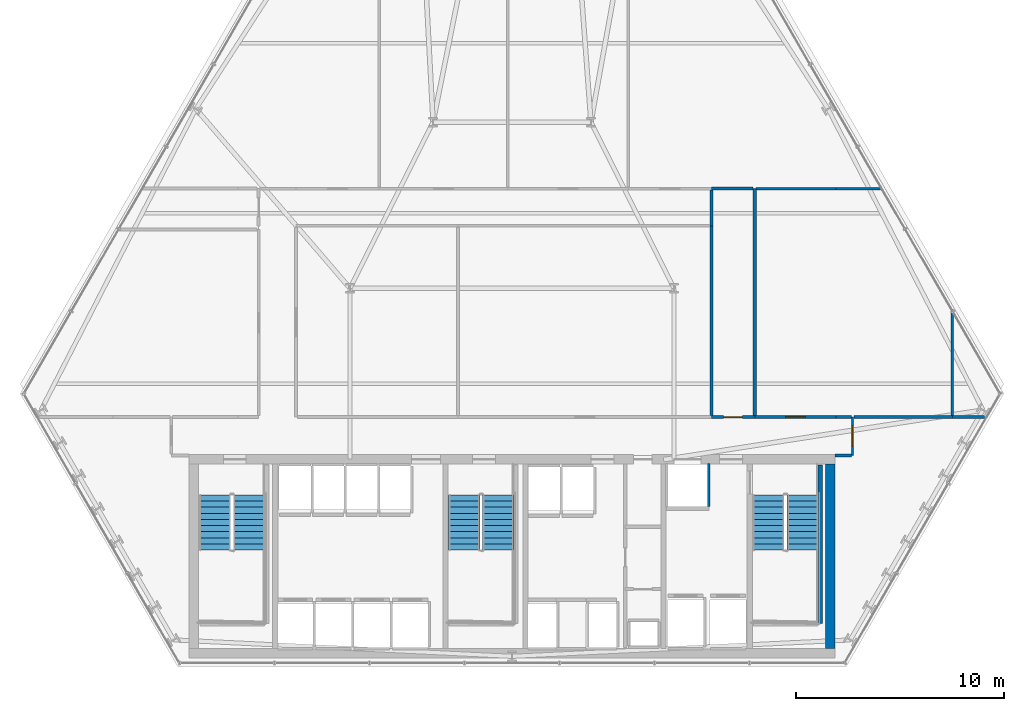
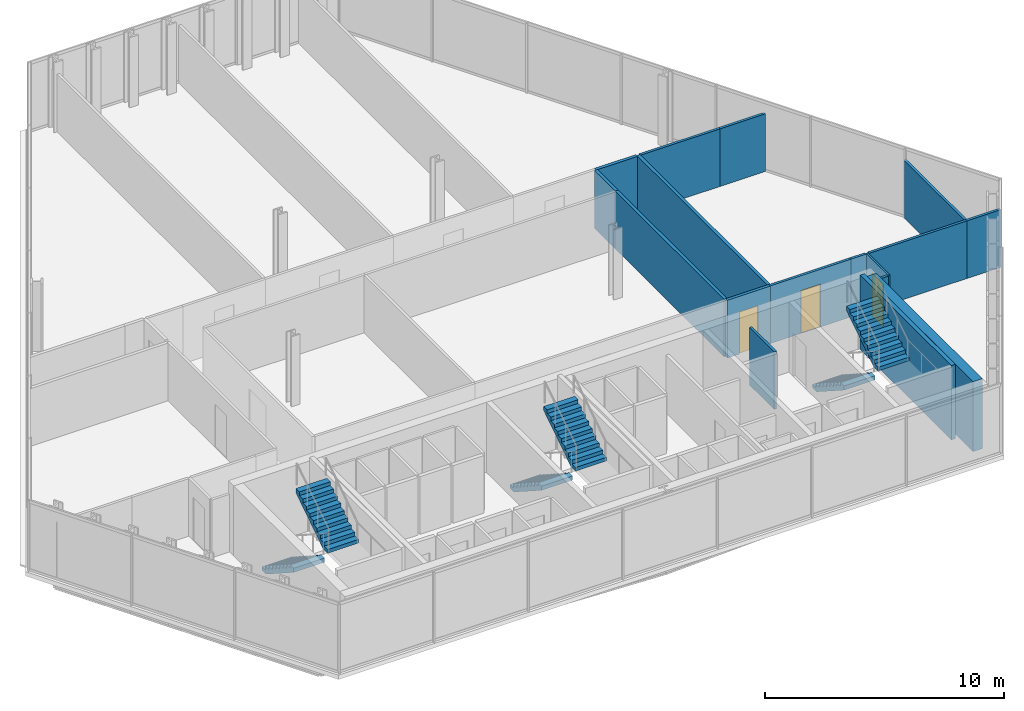
# One storey, part 29 of 32: 17 walls, 6 stair flights, 3 doors, 3 openings, 3 elements without a shape of their own.
"""IFC4 building model written with IfcOpenShell, lengths in metres."""

from ifc_helpers import new_model, si_unit, direction, frame, frame_2d, origin, place, context, subcontext, project, spatial, polyline, rectangle, outline, extrude, material, layer, layer_set, type_object, element, fill, aggregate, save


model = new_model("IFC4")

# Units and contexts
model_context = context("Model", 3, precision=1e-05, world=origin(), true_north=direction((0.0, 1.0)))
body_context = subcontext(model_context, "Body", "Model", "MODEL_VIEW")
ifc_project = project(units=[si_unit("LENGTHUNIT", "METRE"), si_unit("AREAUNIT", "SQUARE_METRE"), si_unit("VOLUMEUNIT", "CUBIC_METRE"), si_unit("PLANEANGLEUNIT", "RADIAN"), si_unit("MASSUNIT", "GRAM", prefix="KILO")], contexts=[model_context])

# Site, building, storey
site_placement = place(None, origin())
site = spatial("IfcSite", under=ifc_project, at=site_placement, CompositionType="ELEMENT")
building_placement = place(site_placement, origin())
building = spatial("IfcBuilding", under=site, at=building_placement, Name="Ndaravel Arena Tower", CompositionType="ELEMENT")
storey_placement = place(building_placement, frame((0.0, 0.0, 70.199951171875)))
storey = spatial("IfcBuildingStorey", under=building, at=storey_placement, Name="L15", CompositionType="ELEMENT", Elevation=70.199951171875)

# Wall
ifc_material_1 = material(Name="Concrete C60/75", Category="concrete")
ifc_layer_1 = layer(ifc_material_1, 0.449951171875)
ifc_layer_set_1 = layer_set([ifc_layer_1], Name="Concrete C60/75")
wall_type_1 = type_object("IfcWallType", Name="WALL-CORE-450", PredefinedType="SOLIDWALL", material=ifc_layer_set_1)
wall_1_placement = place(storey_placement, frame((57.324951171875, 5.85009765625, 0.0), z_axis=(0.0, 0.0, 1.0), x_axis=(0.0, 1.0, 0.0)))
element("IfcWall", 1, at=wall_1_placement, inside=storey, type_object=wall_type_1, Name="L15 Core East Shear Wall", PredefinedType="SOLIDWALL", context=body_context, shape_type="SweptSolid", body=[
    extrude(rectangle(XDim=8.89990234375, YDim=0.449951171875, at=frame_2d((4.449951171875, 0.0))), origin(), (0.0, 0.0, 1.0), 3.580078125),
])

# Wall, opening, door
ifc_material_2 = material(Name="Timber", Category="wood")
ifc_layer_2 = layer(ifc_material_2, 0.10009765625)
ifc_layer_set_2 = layer_set([ifc_layer_2], Name="Timber")
wall_type_2 = type_object("IfcWallType", Name="WALL-MOVABLE-100", PredefinedType="MOVABLE", material=ifc_layer_set_2)
wall_2_placement = place(storey_placement, frame((58.39990234375, 17.0, 0.0), z_axis=(0.0, 0.0, 1.0), x_axis=(0.0, -1.0, 0.0)))
wall_2 = element("IfcWall", 2, at=wall_2_placement, inside=storey, type_object=wall_type_2, Name="L15 Interior Partition 001", PredefinedType="MOVABLE", context=body_context, shape_type="SweptSolid", body=[
    extrude(rectangle(XDim=1.85009765625, YDim=0.10009765625, at=frame_2d((0.925048828125, 0.0))), origin(), (0.0, 0.0, 1.0), 2.949951171875),
])
opening_1_placement = place(wall_2_placement, frame((0.449951171875, 0.0, 0.0)))
opening_1 = element("IfcOpeningElement", 3, at=opening_1_placement, cuts=wall_2, Name="Opening ID-01", PredefinedType="OPENING", context=body_context, shape_type="SweptSolid", body=[
    extrude(rectangle(XDim=0.949951171875, YDim=2.199951171875, at=frame_2d((0.47509765625, 1.10009765625))), frame((0.0, 0.050048828125, 0.0), z_axis=(0.0, -1.0, 0.0), x_axis=(1.0, 0.0, 0.0)), (0.0, 0.0, 1.0), 0.10009765625),
])
ifc_material_3 = material(Name="Timber", Category="wood")
door_type_1 = type_object("IfcDoorType", Name="DT-03-OFFICE-950", OperationType="SINGLE_SWING_LEFT", PredefinedType="DOOR", material=ifc_material_3)
door_1_placement = place(opening_1_placement, origin())
door_1 = element("IfcDoor", 4, at=door_1_placement, inside=storey, type_object=door_type_1, Name="L15 Quiet Reading Library Door", OperationType="SINGLE_SWING_LEFT", OverallHeight=2.199951171875, OverallWidth=0.949951171875, PredefinedType="DOOR", context=body_context, shape_type="SweptSolid", body=[
    extrude(rectangle(XDim=0.949951171875, YDim=2.199951171875, at=frame_2d((0.47509765625, 1.10009765625))), frame((0.0, 0.02490234375, 0.0), z_axis=(0.0, -1.0, 0.0), x_axis=(1.0, 0.0, 0.0)), (0.0, 0.0, 1.0), 0.050048828125),
])
fill(opening_1, door_1)

# Wall
ifc_material_4 = material(Name="Gypsum", Category="gypsum")
ifc_layer_3 = layer(ifc_material_4, 0.125)
ifc_layer_set_3 = layer_set([ifc_layer_3], Name="Gypsum")
wall_type_3 = type_object("IfcWallType", Name="WALL-PART-125", PredefinedType="PARTITIONING", material=ifc_layer_set_3)
wall_3_placement = place(storey_placement, frame((58.3349609375, 15.14990234375, 0.0), z_axis=(0.0, 0.0, 1.0), x_axis=(-1.0, 0.0, 0.0)))
element("IfcWall", 5, at=wall_3_placement, inside=storey, type_object=wall_type_3, Name="L15 Interior Partition 002", PredefinedType="PARTITIONING", context=body_context, shape_type="SweptSolid", body=[
    extrude(rectangle(XDim=0.784912109375, YDim=0.125, at=frame_2d((0.392578125, 0.0))), origin(), (0.0, 0.0, 1.0), 2.949951171875),
])

# Wall, opening, door
wall_4_placement = place(storey_placement, frame((53.68798828125, 17.0, 0.0), z_axis=(0.0, 0.0, 1.0), x_axis=(1.0, 0.0, 0.0)))
wall_4 = element("IfcWall", 6, at=wall_4_placement, inside=storey, type_object=wall_type_3, Name="L15 Interior Partition 021", PredefinedType="PARTITIONING", context=body_context, shape_type="SweptSolid", body=[
    extrude(rectangle(XDim=3.912109375, YDim=0.125, at=frame_2d((1.9560546875, 0.0))), origin(), (0.0, 0.0, 1.0), 2.949951171875),
])
opening_2_placement = place(wall_4_placement, frame((1.48095703125, 0.0, 0.0)))
opening_2 = element("IfcOpeningElement", 7, at=opening_2_placement, cuts=wall_4, Name="Opening ID-01", PredefinedType="OPENING", context=body_context, shape_type="SweptSolid", body=[
    extrude(rectangle(XDim=0.949951171875, YDim=2.199951171875, at=frame_2d((0.47509765625, 1.10009765625))), frame((0.0, 0.0625, 0.0), z_axis=(0.0, -1.0, 0.0), x_axis=(1.0, 0.0, 0.0)), (0.0, 0.0, 1.0), 0.125),
])
door_2_placement = place(opening_2_placement, origin())
door_2 = element("IfcDoor", 8, at=door_2_placement, inside=storey, type_object=door_type_1, Name="L15 Advisory Desk Office 3 Door", OperationType="SINGLE_SWING_LEFT", OverallHeight=2.199951171875, OverallWidth=0.949951171875, PredefinedType="DOOR", context=body_context, shape_type="SweptSolid", body=[
    extrude(rectangle(XDim=0.949951171875, YDim=2.199951171875, at=frame_2d((0.47509765625, 1.10009765625))), frame((0.0, 0.02490234375, 0.0), z_axis=(0.0, -1.0, 0.0), x_axis=(1.0, 0.0, 0.0)), (0.0, 0.0, 1.0), 0.050048828125),
])
fill(opening_2, door_2)

# Walls
wall_5_placement = place(storey_placement, frame((57.60009765625, 17.0, 0.0), z_axis=(0.0, 0.0, 1.0), x_axis=(1.0, 0.0, 0.0)))
element("IfcWall", 9, at=wall_5_placement, inside=storey, type_object=wall_type_3, Name="L15 Interior Partition 022", PredefinedType="PARTITIONING", context=body_context, shape_type="SweptSolid", body=[
    extrude(rectangle(XDim=0.73486328125, YDim=0.125, at=frame_2d((0.367431640625, 0.0))), origin(), (0.0, 0.0, 1.0), 2.949951171875),
])
wall_6_placement = place(storey_placement, frame((58.465087890625, 17.0, 0.0), z_axis=(0.0, 0.0, 1.0), x_axis=(1.0, 0.0, 0.0)))
element("IfcWall", 10, at=wall_6_placement, inside=storey, type_object=wall_type_3, Name="L15 Interior Partition 025", PredefinedType="PARTITIONING", context=body_context, shape_type="SweptSolid", body=[
    extrude(rectangle(XDim=4.73486328125, YDim=0.125, at=frame_2d((2.367431640625, 0.0))), origin(), (0.0, 0.0, 1.0), 2.949951171875),
])
wall_7_placement = place(storey_placement, frame((63.199951171875, 17.0, 0.0), z_axis=(0.0, 0.0, 1.0), x_axis=(1.0, 0.0, 0.0)))
element("IfcWall", 11, at=wall_7_placement, inside=storey, type_object=wall_type_3, Name="L15 Interior Partition 026", PredefinedType="PARTITIONING", context=body_context, shape_type="SweptSolid", body=[
    extrude(rectangle(XDim=1.650634765625, YDim=0.125, at=frame_2d((0.8251953125, 0.0))), origin(), (0.0, 0.0, 1.0), 2.949951171875),
])
wall_8_placement = place(storey_placement, frame((57.60009765625, 28.0, 0.0), z_axis=(0.0, 0.0, 1.0), x_axis=(1.0, 0.0, 0.0)))
element("IfcWall", 12, at=wall_8_placement, inside=storey, type_object=wall_type_3, Name="L15 Interior Partition 030", PredefinedType="PARTITIONING", context=body_context, shape_type="SweptSolid", body=[
    extrude(rectangle(XDim=2.201171875, YDim=0.125, at=frame_2d((1.1005859375, 0.0))), origin(), (0.0, 0.0, 1.0), 2.949951171875),
])
wall_9_placement = place(storey_placement, frame((63.199951171875, 22.11328125, 0.0), z_axis=(0.0, 0.0, 1.0), x_axis=(0.0, -1.0, 0.0)))
element("IfcWall", 13, at=wall_9_placement, inside=storey, type_object=wall_type_3, Name="L15 Interior Partition 031", PredefinedType="PARTITIONING", context=body_context, shape_type="SweptSolid", body=[
    extrude(rectangle(XDim=5.04833984375, YDim=0.125, at=frame_2d((2.524169921875, 0.0))), origin(), (0.0, 0.0, 1.0), 2.949951171875),
])
wall_10_placement = place(storey_placement, frame((53.7529296875, 28.0, 0.0), z_axis=(0.0, 0.0, 1.0), x_axis=(1.0, 0.0, 0.0)))
element("IfcWall", 14, at=wall_10_placement, inside=storey, type_object=wall_type_3, Name="L15 Interior Partition 033", PredefinedType="PARTITIONING", context=body_context, shape_type="SweptSolid", body=[
    extrude(rectangle(XDim=3.84716796875, YDim=0.125, at=frame_2d((1.923583984375, 0.0))), origin(), (0.0, 0.0, 1.0), 2.949951171875),
])
ifc_material_5 = material(Name="Concrete C40/50", Category="concrete")
ifc_layer_4 = layer(ifc_material_5, 0.1201171875)
ifc_layer_set_4 = layer_set([ifc_layer_4], Name="Concrete C40/50")
wall_type_4 = type_object("IfcWallType", Name="WALL-SHAFT-120", PredefinedType="SOLIDWALL", material=ifc_layer_set_4)
wall_11_placement = place(storey_placement, frame((51.47998046875, 12.68994140625, 0.0), z_axis=(0.0, 0.0, 1.0), x_axis=(0.0, 1.0, 0.0)))
element("IfcWall", 15, at=wall_11_placement, inside=storey, type_object=wall_type_4, Name="L15 SVL-1 Shaft E Wall", PredefinedType="SOLIDWALL", context=body_context, shape_type="SweptSolid", body=[
    extrude(rectangle(XDim=2.070068359375, YDim=0.1201171875, at=frame_2d((1.03515625, 0.0))), origin(), (0.0, 0.0, 1.0), 2.949951171875),
])
ifc_material_6 = material(Name="Concrete C40/50", Category="concrete")
ifc_layer_5 = layer(ifc_material_6, 0.199951171875)
ifc_layer_set_5 = layer_set([ifc_layer_5], Name="Concrete C40/50")
wall_type_5 = type_object("IfcWallType", Name="WALL-SHAFT-200", PredefinedType="SOLIDWALL", material=ifc_layer_set_5)
wall_12_placement = place(storey_placement, frame((56.840087890625, 14.699951171875, 0.0), z_axis=(0.0, 0.0, 1.0), x_axis=(0.0, -1.0, 0.0)))
element("IfcWall", 16, at=wall_12_placement, inside=storey, type_object=wall_type_5, Name="L15 ST-3 Structural Shaft Wall Right", PredefinedType="SOLIDWALL", context=body_context, shape_type="SweptSolid", body=[
    extrude(rectangle(XDim=7.64990234375, YDim=0.199951171875, at=frame_2d((3.824951171875, 0.0))), origin(), (0.0, 0.0, 1.0), 3.800048828125),
])
ifc_material_7 = material(Name="Masonry", Category="masonry")
ifc_layer_6 = layer(ifc_material_7, 0.14990234375)
ifc_layer_set_6 = layer_set([ifc_layer_6], Name="Masonry")
wall_type_6 = type_object("IfcWallType", Name="WALL-WET-150", PredefinedType="PARTITIONING", material=ifc_layer_set_6)
wall_13_placement = place(storey_placement, frame((51.60009765625, 27.93505859375, 0.0), z_axis=(0.0, 0.0, 1.0), x_axis=(0.0, -1.0, 0.0)))
element("IfcWall", 17, at=wall_13_placement, inside=storey, type_object=wall_type_6, Name="L15 Interior Partition 014", PredefinedType="PARTITIONING", context=body_context, shape_type="SweptSolid", body=[
    extrude(rectangle(XDim=1.735107421875, YDim=0.14990234375, at=frame_2d((0.86767578125, 0.0))), origin(), (0.0, 0.0, 1.0), 2.949951171875),
])

# Wall, opening, door
wall_14_placement = place(storey_placement, frame((51.60009765625, 17.0, 0.0), z_axis=(0.0, 0.0, 1.0), x_axis=(1.0, 0.0, 0.0)))
wall_14 = element("IfcWall", 18, at=wall_14_placement, inside=storey, type_object=wall_type_6, Name="L15 Interior Partition 020", PredefinedType="PARTITIONING", context=body_context, shape_type="SweptSolid", body=[
    extrude(rectangle(XDim=2.087890625, YDim=0.14990234375, at=frame_2d((1.0439453125, 0.0))), origin(), (0.0, 0.0, 1.0), 2.949951171875),
])
opening_3_placement = place(wall_14_placement, frame((0.593994140625, 0.0, 0.0)))
opening_3 = element("IfcOpeningElement", 19, at=opening_3_placement, cuts=wall_14, Name="Opening WD-01", PredefinedType="OPENING", context=body_context, shape_type="SweptSolid", body=[
    extrude(rectangle(XDim=0.89990234375, YDim=2.14990234375, at=frame_2d((0.449951171875, 1.074951171875))), frame((0.0, 0.074951171875, 0.0), z_axis=(0.0, -1.0, 0.0), x_axis=(1.0, 0.0, 0.0)), (0.0, 0.0, 1.0), 0.14990234375),
])
ifc_material_8 = material(Name="Timber", Category="wood")
door_type_2 = type_object("IfcDoorType", Name="DT-05-WC-900", OperationType="SINGLE_SWING_LEFT", PredefinedType="DOOR", material=ifc_material_8)
door_3_placement = place(opening_3_placement, origin())
door_3 = element("IfcDoor", 20, at=door_3_placement, inside=storey, type_object=door_type_2, Name="L15 Male Staff & Visitor Restroom Door", OperationType="SINGLE_SWING_RIGHT", OverallHeight=2.14990234375, OverallWidth=0.89990234375, PredefinedType="DOOR", context=body_context, shape_type="SweptSolid", body=[
    extrude(rectangle(XDim=0.89990234375, YDim=2.14990234375, at=frame_2d((0.449951171875, 1.074951171875))), frame((0.0, 0.02490234375, 0.0), z_axis=(0.0, -1.0, 0.0), x_axis=(1.0, 0.0, 0.0)), (0.0, 0.0, 1.0), 0.050048828125),
])
fill(opening_3, door_3)

# Walls
wall_15_placement = place(storey_placement, frame((51.60009765625, 26.199951171875, 0.0), z_axis=(0.0, 0.0, 1.0), x_axis=(0.0, -1.0, 0.0)))
element("IfcWall", 21, at=wall_15_placement, inside=storey, type_object=wall_type_6, Name="L15 Interior Partition 029", PredefinedType="PARTITIONING", context=body_context, shape_type="SweptSolid", body=[
    extrude(rectangle(XDim=9.135009765625, YDim=0.14990234375, at=frame_2d((4.5673828125, 0.0))), origin(), (0.0, 0.0, 1.0), 2.949951171875),
])
wall_16_placement = place(storey_placement, frame((53.68798828125, 17.06494140625, 0.0), z_axis=(0.0, 0.0, 1.0), x_axis=(0.0, 1.0, 0.0)))
element("IfcWall", 22, at=wall_16_placement, inside=storey, type_object=wall_type_6, Name="L15 Interior Partition 032", PredefinedType="PARTITIONING", context=body_context, shape_type="SweptSolid", body=[
    extrude(rectangle(XDim=10.93505859375, YDim=0.14990234375, at=frame_2d((5.467529296875, 0.0))), origin(), (0.0, 0.0, 1.0), 2.949951171875),
])
wall_17_placement = place(storey_placement, frame((51.60009765625, 28.0, 0.0), z_axis=(0.0, 0.0, 1.0), x_axis=(1.0, 0.0, 0.0)))
element("IfcWall", 23, at=wall_17_placement, inside=storey, type_object=wall_type_6, Name="L15 Interior Partition 034", PredefinedType="PARTITIONING", context=body_context, shape_type="SweptSolid", body=[
    extrude(rectangle(XDim=2.0, YDim=0.14990234375, at=frame_2d((1.0, 0.0))), origin(), (0.0, 0.0, 1.0), 2.949951171875),
])

# Stair, stair flights
ifc_material_9 = material(Name="Concrete C40/50", Category="concrete")
stair_type = type_object("IfcStairType", Name="STAIR-CORE-HT", PredefinedType="HALF_TURN_STAIR", material=ifc_material_9)
stair_1_placement = place(storey_placement, origin())
stair_1 = element("IfcStair", 24, at=stair_1_placement, inside=storey, type_object=stair_type, Name="L15 ST-1", PredefinedType="HALF_TURN_STAIR")
ifc_material_10 = material(Name="Concrete C40/50", Category="concrete")
stair_flight_type = type_object("IfcStairFlightType", Name="SFLIGHT-CORE-1680", PredefinedType="STRAIGHT", material=ifc_material_10)
stair_flight_1_placement = place(storey_placement, frame((27.699951171875, 13.25, 0.0), z_axis=(0.0, 0.0, 1.0), x_axis=(0.0, -1.0, 0.0)))
stair_flight_1 = element("IfcStairFlight", 25, at=stair_flight_1_placement, type_object=stair_flight_type, Name="ST-1 flight 1", NumberOfRisers=10, NumberOfTreads=9, PredefinedType="STRAIGHT", RiserHeight=0.19, TreadLength=0.295, context=body_context, shape_type="SweptSolid", body=[
    extrude(outline(polyline([(0.0, 0.0), (0.0, 0.18994140625), (0.294921875, 0.18994140625), (0.294921875, 0.3798828125), (0.590087890625, 0.3798828125), (0.590087890625, 0.570068359375), (0.885009765625, 0.570068359375), (0.885009765625, 0.760009765625), (1.179931640625, 0.760009765625), (1.179931640625, 0.949951171875), (1.47509765625, 0.949951171875), (1.47509765625, 1.139892578125), (1.77001953125, 1.139892578125), (1.77001953125, 1.330078125), (2.06494140625, 1.330078125), (2.06494140625, 1.52001953125), (2.360107421875, 1.52001953125), (2.360107421875, 1.7099609375), (2.655029296875, 1.7099609375), (2.655029296875, 1.89990234375), (2.655029296875, 1.49609375), (0.332275390625, 0.0), (0.0, 0.0)])), frame((0.0, 0.75, 0.0), z_axis=(0.0, -1.0, 0.0), x_axis=(1.0, 0.0, 0.0)), (0.0, 0.0, 1.0), 1.5),
])
stair_flight_2_placement = place(storey_placement, frame((29.340087890625, 10.594970703125, 1.900146484375), z_axis=(0.0, 0.0, 1.0), x_axis=(0.0, 1.0, 0.0)))
stair_flight_2 = element("IfcStairFlight", 26, at=stair_flight_2_placement, type_object=stair_flight_type, Name="ST-1 flight 2", NumberOfRisers=10, NumberOfTreads=9, PredefinedType="STRAIGHT", RiserHeight=0.19, TreadLength=0.295, context=body_context, shape_type="SweptSolid", body=[
    extrude(outline(polyline([(0.0, 0.0), (0.0, 0.18994140625), (0.294921875, 0.18994140625), (0.294921875, 0.3798828125), (0.590087890625, 0.3798828125), (0.590087890625, 0.570068359375), (0.885009765625, 0.570068359375), (0.885009765625, 0.760009765625), (1.179931640625, 0.760009765625), (1.179931640625, 0.949951171875), (1.47509765625, 0.949951171875), (1.47509765625, 1.139892578125), (1.77001953125, 1.139892578125), (1.77001953125, 1.330078125), (2.06494140625, 1.330078125), (2.06494140625, 1.52001953125), (2.360107421875, 1.52001953125), (2.360107421875, 1.7099609375), (2.655029296875, 1.7099609375), (2.655029296875, 1.89990234375), (2.655029296875, 1.49609375), (0.332275390625, 0.0), (0.0, 0.0)])), frame((0.0, 0.75, 0.0), z_axis=(0.0, -1.0, 0.0), x_axis=(1.0, 0.0, 0.0)), (0.0, 0.0, 1.0), 1.5),
])
aggregate(stair_1, [stair_flight_1, stair_flight_2])

stair_2_placement = place(storey_placement, origin())
stair_2 = element("IfcStair", 27, at=stair_2_placement, inside=storey, type_object=stair_type, Name="L15 ST-2", PredefinedType="HALF_TURN_STAIR")
stair_flight_3_placement = place(storey_placement, frame((39.699951171875, 13.25, 0.0), z_axis=(0.0, 0.0, 1.0), x_axis=(0.0, -1.0, 0.0)))
stair_flight_3 = element("IfcStairFlight", 28, at=stair_flight_3_placement, type_object=stair_flight_type, Name="ST-2 flight 1", NumberOfRisers=10, NumberOfTreads=9, PredefinedType="STRAIGHT", RiserHeight=0.19, TreadLength=0.295, context=body_context, shape_type="SweptSolid", body=[
    extrude(outline(polyline([(0.0, 0.0), (0.0, 0.18994140625), (0.294921875, 0.18994140625), (0.294921875, 0.3798828125), (0.590087890625, 0.3798828125), (0.590087890625, 0.570068359375), (0.885009765625, 0.570068359375), (0.885009765625, 0.760009765625), (1.179931640625, 0.760009765625), (1.179931640625, 0.949951171875), (1.47509765625, 0.949951171875), (1.47509765625, 1.139892578125), (1.77001953125, 1.139892578125), (1.77001953125, 1.330078125), (2.06494140625, 1.330078125), (2.06494140625, 1.52001953125), (2.360107421875, 1.52001953125), (2.360107421875, 1.7099609375), (2.655029296875, 1.7099609375), (2.655029296875, 1.89990234375), (2.655029296875, 1.49609375), (0.332275390625, 0.0), (0.0, 0.0)])), frame((0.0, 0.75, 0.0), z_axis=(0.0, -1.0, 0.0), x_axis=(1.0, 0.0, 0.0)), (0.0, 0.0, 1.0), 1.5),
])
stair_flight_4_placement = place(storey_placement, frame((41.340087890625, 10.594970703125, 1.900146484375), z_axis=(0.0, 0.0, 1.0), x_axis=(0.0, 1.0, 0.0)))
stair_flight_4 = element("IfcStairFlight", 29, at=stair_flight_4_placement, type_object=stair_flight_type, Name="ST-2 flight 2", NumberOfRisers=10, NumberOfTreads=9, PredefinedType="STRAIGHT", RiserHeight=0.19, TreadLength=0.295, context=body_context, shape_type="SweptSolid", body=[
    extrude(outline(polyline([(0.0, 0.0), (0.0, 0.18994140625), (0.294921875, 0.18994140625), (0.294921875, 0.3798828125), (0.590087890625, 0.3798828125), (0.590087890625, 0.570068359375), (0.885009765625, 0.570068359375), (0.885009765625, 0.760009765625), (1.179931640625, 0.760009765625), (1.179931640625, 0.949951171875), (1.47509765625, 0.949951171875), (1.47509765625, 1.139892578125), (1.77001953125, 1.139892578125), (1.77001953125, 1.330078125), (2.06494140625, 1.330078125), (2.06494140625, 1.52001953125), (2.360107421875, 1.52001953125), (2.360107421875, 1.7099609375), (2.655029296875, 1.7099609375), (2.655029296875, 1.89990234375), (2.655029296875, 1.49609375), (0.332275390625, 0.0), (0.0, 0.0)])), frame((0.0, 0.75, 0.0), z_axis=(0.0, -1.0, 0.0), x_axis=(1.0, 0.0, 0.0)), (0.0, 0.0, 1.0), 1.5),
])
aggregate(stair_2, [stair_flight_3, stair_flight_4])

stair_3_placement = place(storey_placement, origin())
stair_3 = element("IfcStair", 30, at=stair_3_placement, inside=storey, type_object=stair_type, Name="L15 ST-3", PredefinedType="HALF_TURN_STAIR")
stair_flight_5_placement = place(storey_placement, frame((54.35009765625, 13.25, 0.0), z_axis=(0.0, 0.0, 1.0), x_axis=(0.0, -1.0, 0.0)))
stair_flight_5 = element("IfcStairFlight", 31, at=stair_flight_5_placement, type_object=stair_flight_type, Name="ST-3 flight 1", NumberOfRisers=10, NumberOfTreads=9, PredefinedType="STRAIGHT", RiserHeight=0.19, TreadLength=0.295, context=body_context, shape_type="SweptSolid", body=[
    extrude(outline(polyline([(0.0, 0.0), (0.0, 0.18994140625), (0.294921875, 0.18994140625), (0.294921875, 0.3798828125), (0.590087890625, 0.3798828125), (0.590087890625, 0.570068359375), (0.885009765625, 0.570068359375), (0.885009765625, 0.760009765625), (1.179931640625, 0.760009765625), (1.179931640625, 0.949951171875), (1.47509765625, 0.949951171875), (1.47509765625, 1.139892578125), (1.77001953125, 1.139892578125), (1.77001953125, 1.330078125), (2.06494140625, 1.330078125), (2.06494140625, 1.52001953125), (2.360107421875, 1.52001953125), (2.360107421875, 1.7099609375), (2.655029296875, 1.7099609375), (2.655029296875, 1.89990234375), (2.655029296875, 1.49609375), (0.332275390625, 0.0), (0.0, 0.0)])), frame((0.0, 0.75, 0.0), z_axis=(0.0, -1.0, 0.0), x_axis=(1.0, 0.0, 0.0)), (0.0, 0.0, 1.0), 1.5),
])
stair_flight_6_placement = place(storey_placement, frame((55.989990234375, 10.594970703125, 1.900146484375), z_axis=(0.0, 0.0, 1.0), x_axis=(0.0, 1.0, 0.0)))
stair_flight_6 = element("IfcStairFlight", 32, at=stair_flight_6_placement, type_object=stair_flight_type, Name="ST-3 flight 2", NumberOfRisers=10, NumberOfTreads=9, PredefinedType="STRAIGHT", RiserHeight=0.19, TreadLength=0.295, context=body_context, shape_type="SweptSolid", body=[
    extrude(outline(polyline([(0.0, 0.0), (0.0, 0.18994140625), (0.294921875, 0.18994140625), (0.294921875, 0.3798828125), (0.590087890625, 0.3798828125), (0.590087890625, 0.570068359375), (0.885009765625, 0.570068359375), (0.885009765625, 0.760009765625), (1.179931640625, 0.760009765625), (1.179931640625, 0.949951171875), (1.47509765625, 0.949951171875), (1.47509765625, 1.139892578125), (1.77001953125, 1.139892578125), (1.77001953125, 1.330078125), (2.06494140625, 1.330078125), (2.06494140625, 1.52001953125), (2.360107421875, 1.52001953125), (2.360107421875, 1.7099609375), (2.655029296875, 1.7099609375), (2.655029296875, 1.89990234375), (2.655029296875, 1.49609375), (0.332275390625, 0.0), (0.0, 0.0)])), frame((0.0, 0.75, 0.0), z_axis=(0.0, -1.0, 0.0), x_axis=(1.0, 0.0, 0.0)), (0.0, 0.0, 1.0), 1.5),
])
aggregate(stair_3, [stair_flight_5, stair_flight_6])

save(model, "model.ifc")
